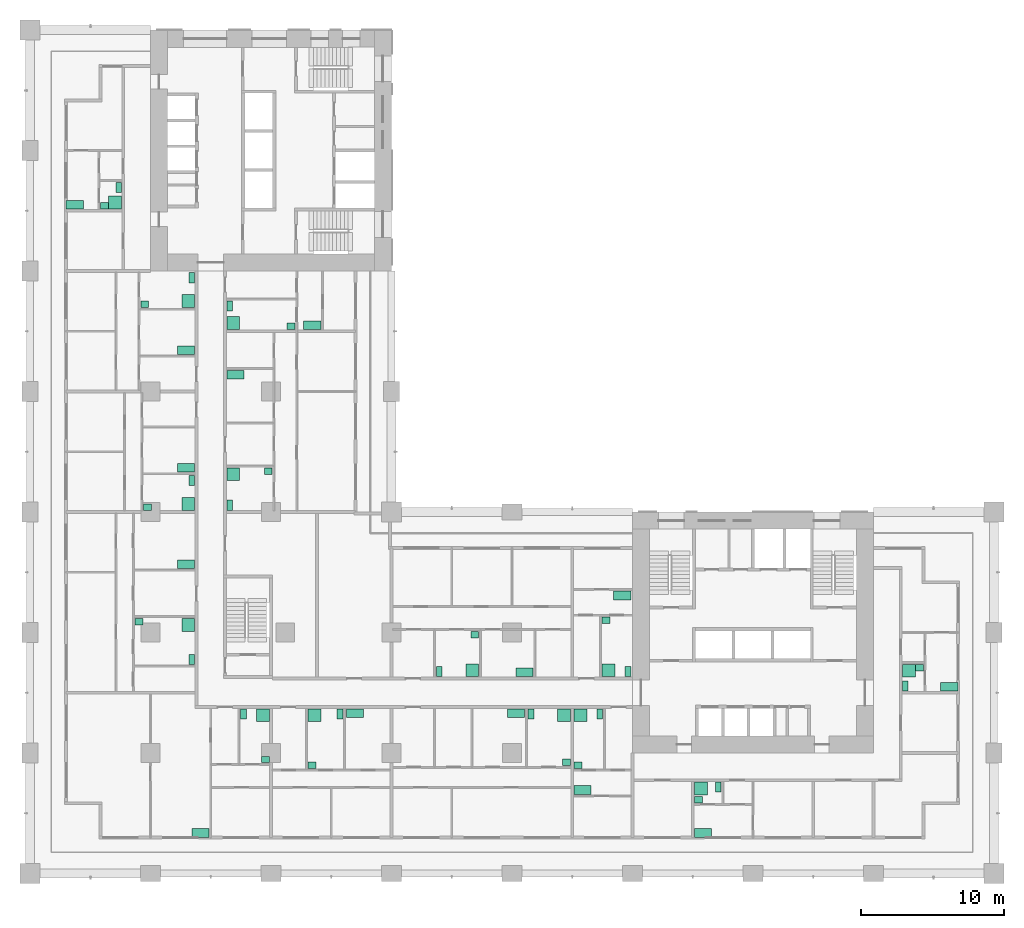
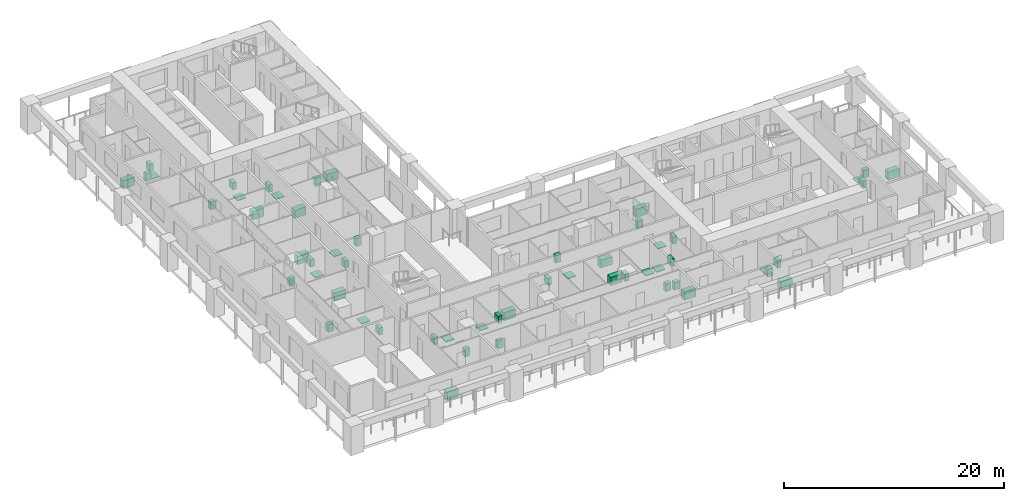
# One storey, part 19 of 19: 56 sanitary terminals.
"""IFC4 building model written with IfcOpenShell, lengths in metres."""

from ifc_helpers import new_model, si_unit, direction, frame, origin, origin_2d, place, context, subcontext, project, spatial, rectangle, extrude, material, element, save


model = new_model("IFC4")

# Units and contexts
model_context = context("Model", 3, precision=1e-05, world=origin(), true_north=direction((0.0, 1.0)))
body_context = subcontext(model_context, "Body", "Model", "MODEL_VIEW")
ifc_project = project(units=[si_unit("LENGTHUNIT", "METRE"), si_unit("AREAUNIT", "SQUARE_METRE"), si_unit("VOLUMEUNIT", "CUBIC_METRE"), si_unit("PLANEANGLEUNIT", "RADIAN"), si_unit("MASSUNIT", "GRAM", prefix="KILO")], contexts=[model_context])

# Site, building, storey
site_placement = place(None, origin())
site = spatial("IfcSite", under=ifc_project, at=site_placement, CompositionType="ELEMENT")
building_placement = place(site_placement, origin())
building = spatial("IfcBuilding", under=site, at=building_placement, Name="Vermilion Gate Residences", CompositionType="ELEMENT")
storey_placement = place(building_placement, frame((0.0, 0.0, 49.699951171875)))
storey = spatial("IfcBuildingStorey", under=building, at=storey_placement, Name="L11", CompositionType="ELEMENT", Elevation=49.699951171875)

# Sanitary terminals
ifc_material_1 = material(Name="Stainless steel", Category="steel")
sanitary_terminal_1_placement = place(storey_placement, frame((11.8798828125, 2.820068359375, 0.0), z_axis=(0.0, 0.0, 1.0), x_axis=(1.0, 0.0, 0.0)))
element("IfcSanitaryTerminal", 1, at=sanitary_terminal_1_placement, inside=storey, material=ifc_material_1, Name="Kitchen sink", PredefinedType="SINK", context=body_context, shape_type="SweptSolid", body=[
    extrude(rectangle(XDim=1.199951171875, YDim=0.60009765625, at=origin_2d()), origin(), (0.0, 0.0, 1.0), 0.89990234375),
])
ifc_material_2 = material(Name="Vitreous china")
sanitary_terminal_2_placement = place(storey_placement, frame((16.22998046875, 11.030029296875, 0.0), z_axis=(0.0, 0.0, 1.0), x_axis=(1.0, 0.0, 0.0)))
element("IfcSanitaryTerminal", 2, at=sanitary_terminal_2_placement, inside=storey, material=ifc_material_2, Name="Shower tray", PredefinedType="SHOWER", context=body_context, shape_type="SweptSolid", body=[
    extrude(rectangle(XDim=0.89990234375, YDim=0.89990234375, at=origin_2d()), origin(), (0.0, 0.0, 1.0), 0.10009765625),
])
sanitary_terminal_3_placement = place(storey_placement, frame((14.8798828125, 11.1298828125, 0.0), z_axis=(0.0, 0.0, 1.0), x_axis=(1.0, 0.0, 0.0)))
element("IfcSanitaryTerminal", 3, at=sanitary_terminal_3_placement, inside=storey, material=ifc_material_2, Name="Toilet", PredefinedType="TOILETPAN", context=body_context, shape_type="SweptSolid", body=[
    extrude(rectangle(XDim=0.39990234375, YDim=0.699951171875, at=origin_2d()), origin(), (0.0, 0.0, 1.0), 0.800048828125),
])
sanitary_terminal_4_placement = place(storey_placement, frame((16.405029296875, 7.945068359375, 0.0), z_axis=(0.0, 0.0, 1.0), x_axis=(1.0, 0.0, 0.0)))
element("IfcSanitaryTerminal", 4, at=sanitary_terminal_4_placement, inside=storey, material=ifc_material_2, Name="Wash basin", PredefinedType="WASHHANDBASIN", context=body_context, shape_type="SweptSolid", body=[
    extrude(rectangle(XDim=0.550048828125, YDim=0.449951171875, at=origin_2d()), origin(), (0.0, 0.0, 1.0), 0.85009765625),
])
sanitary_terminal_5_placement = place(storey_placement, frame((19.8369140625, 11.030029296875, 0.0), z_axis=(0.0, 0.0, 1.0), x_axis=(1.0, 0.0, 0.0)))
element("IfcSanitaryTerminal", 5, at=sanitary_terminal_5_placement, inside=storey, material=ifc_material_2, Name="Shower tray", PredefinedType="SHOWER", context=body_context, shape_type="SweptSolid", body=[
    extrude(rectangle(XDim=0.89990234375, YDim=0.89990234375, at=origin_2d()), origin(), (0.0, 0.0, 1.0), 0.10009765625),
])
sanitary_terminal_6_placement = place(storey_placement, frame((21.613037109375, 11.1298828125, 0.0), z_axis=(0.0, 0.0, 1.0), x_axis=(1.0, 0.0, 0.0)))
element("IfcSanitaryTerminal", 6, at=sanitary_terminal_6_placement, inside=storey, material=ifc_material_2, Name="Toilet", PredefinedType="TOILETPAN", context=body_context, shape_type="SweptSolid", body=[
    extrude(rectangle(XDim=0.39990234375, YDim=0.699951171875, at=origin_2d()), origin(), (0.0, 0.0, 1.0), 0.800048828125),
])
sanitary_terminal_7_placement = place(storey_placement, frame((19.662109375, 7.544921875, 0.0), z_axis=(0.0, 0.0, 1.0), x_axis=(1.0, 0.0, 0.0)))
element("IfcSanitaryTerminal", 7, at=sanitary_terminal_7_placement, inside=storey, material=ifc_material_2, Name="Wash basin", PredefinedType="WASHHANDBASIN", context=body_context, shape_type="SweptSolid", body=[
    extrude(rectangle(XDim=0.550048828125, YDim=0.449951171875, at=origin_2d()), origin(), (0.0, 0.0, 1.0), 0.85009765625),
])
for number, where, z_axis, x_axis, name in (
    (8, (22.653076171875, 11.179931640625, 0.0), (0.0, 0.0, 1.0), (1.0, 0.0, 0.0), "Kitchen sink"),
    (9, (33.8798828125, 11.179931640625, 0.0), (0.0, 0.0, 1.0), (1.0, 0.0, 0.0), "Kitchen sink"),
):
    element("IfcSanitaryTerminal", number, at=place(storey_placement, frame(where, z_axis=z_axis, x_axis=x_axis)), inside=storey, material=ifc_material_1, Name=name, PredefinedType="SINK", context=body_context, shape_type="SweptSolid", body=[
        extrude(rectangle(XDim=1.199951171875, YDim=0.60009765625, at=origin_2d()), origin(), (0.0, 0.0, 1.0), 0.89990234375),
    ])
sanitary_terminal_8_placement = place(storey_placement, frame((37.22998046875, 11.030029296875, 0.0), z_axis=(0.0, 0.0, 1.0), x_axis=(1.0, 0.0, 0.0)))
element("IfcSanitaryTerminal", 10, at=sanitary_terminal_8_placement, inside=storey, material=ifc_material_2, Name="Shower tray", PredefinedType="SHOWER", context=body_context, shape_type="SweptSolid", body=[
    extrude(rectangle(XDim=0.89990234375, YDim=0.89990234375, at=origin_2d()), origin(), (0.0, 0.0, 1.0), 0.10009765625),
])
sanitary_terminal_9_placement = place(storey_placement, frame((34.919921875, 11.1298828125, 0.0), z_axis=(0.0, 0.0, 1.0), x_axis=(1.0, 0.0, 0.0)))
element("IfcSanitaryTerminal", 11, at=sanitary_terminal_9_placement, inside=storey, material=ifc_material_2, Name="Toilet", PredefinedType="TOILETPAN", context=body_context, shape_type="SweptSolid", body=[
    extrude(rectangle(XDim=0.39990234375, YDim=0.699951171875, at=origin_2d()), origin(), (0.0, 0.0, 1.0), 0.800048828125),
])
sanitary_terminal_10_placement = place(storey_placement, frame((37.405029296875, 7.7451171875, 0.0), z_axis=(0.0, 0.0, 1.0), x_axis=(1.0, 0.0, 0.0)))
element("IfcSanitaryTerminal", 12, at=sanitary_terminal_10_placement, inside=storey, material=ifc_material_2, Name="Wash basin", PredefinedType="WASHHANDBASIN", context=body_context, shape_type="SweptSolid", body=[
    extrude(rectangle(XDim=0.550048828125, YDim=0.449951171875, at=origin_2d()), origin(), (0.0, 0.0, 1.0), 0.85009765625),
])
sanitary_terminal_11_placement = place(storey_placement, frame((38.52001953125, 5.820068359375, 0.0), z_axis=(0.0, 0.0, 1.0), x_axis=(1.0, 0.0, 0.0)))
element("IfcSanitaryTerminal", 13, at=sanitary_terminal_11_placement, inside=storey, material=ifc_material_1, Name="Kitchen sink", PredefinedType="SINK", context=body_context, shape_type="SweptSolid", body=[
    extrude(rectangle(XDim=1.199951171875, YDim=0.60009765625, at=origin_2d()), origin(), (0.0, 0.0, 1.0), 0.89990234375),
])
sanitary_terminal_12_placement = place(storey_placement, frame((38.3701171875, 11.030029296875, 0.0), z_axis=(0.0, 0.0, 1.0), x_axis=(1.0, 0.0, 0.0)))
element("IfcSanitaryTerminal", 14, at=sanitary_terminal_12_placement, inside=storey, material=ifc_material_2, Name="Shower tray", PredefinedType="SHOWER", context=body_context, shape_type="SweptSolid", body=[
    extrude(rectangle(XDim=0.89990234375, YDim=0.89990234375, at=origin_2d()), origin(), (0.0, 0.0, 1.0), 0.10009765625),
])
sanitary_terminal_13_placement = place(storey_placement, frame((39.719970703125, 11.1298828125, 0.0), z_axis=(0.0, 0.0, 1.0), x_axis=(1.0, 0.0, 0.0)))
element("IfcSanitaryTerminal", 15, at=sanitary_terminal_13_placement, inside=storey, material=ifc_material_2, Name="Toilet", PredefinedType="TOILETPAN", context=body_context, shape_type="SweptSolid", body=[
    extrude(rectangle(XDim=0.39990234375, YDim=0.699951171875, at=origin_2d()), origin(), (0.0, 0.0, 1.0), 0.800048828125),
])
sanitary_terminal_14_placement = place(storey_placement, frame((38.195068359375, 7.544921875, 0.0), z_axis=(0.0, 0.0, 1.0), x_axis=(1.0, 0.0, 0.0)))
element("IfcSanitaryTerminal", 16, at=sanitary_terminal_14_placement, inside=storey, material=ifc_material_2, Name="Wash basin", PredefinedType="WASHHANDBASIN", context=body_context, shape_type="SweptSolid", body=[
    extrude(rectangle(XDim=0.550048828125, YDim=0.449951171875, at=origin_2d()), origin(), (0.0, 0.0, 1.0), 0.85009765625),
])
sanitary_terminal_15_placement = place(storey_placement, frame((30.830078125, 14.169921875, 0.0), z_axis=(0.0, 0.0, 1.0), x_axis=(1.0, 0.0, 0.0)))
element("IfcSanitaryTerminal", 17, at=sanitary_terminal_15_placement, inside=storey, material=ifc_material_2, Name="Shower tray", PredefinedType="SHOWER", context=body_context, shape_type="SweptSolid", body=[
    extrude(rectangle(XDim=0.89990234375, YDim=0.89990234375, at=origin_2d()), origin(), (0.0, 0.0, 1.0), 0.10009765625),
])
sanitary_terminal_16_placement = place(storey_placement, frame((28.52001953125, 14.070068359375, 0.0), z_axis=(0.0, 0.0, 1.0), x_axis=(1.0, 0.0, 0.0)))
element("IfcSanitaryTerminal", 18, at=sanitary_terminal_16_placement, inside=storey, material=ifc_material_2, Name="Toilet", PredefinedType="TOILETPAN", context=body_context, shape_type="SweptSolid", body=[
    extrude(rectangle(XDim=0.39990234375, YDim=0.699951171875, at=origin_2d()), origin(), (0.0, 0.0, 1.0), 0.800048828125),
])
sanitary_terminal_17_placement = place(storey_placement, frame((31.0048828125, 16.655029296875, 0.0), z_axis=(0.0, 0.0, 1.0), x_axis=(1.0, 0.0, 0.0)))
element("IfcSanitaryTerminal", 19, at=sanitary_terminal_17_placement, inside=storey, material=ifc_material_2, Name="Wash basin", PredefinedType="WASHHANDBASIN", context=body_context, shape_type="SweptSolid", body=[
    extrude(rectangle(XDim=0.550048828125, YDim=0.449951171875, at=origin_2d()), origin(), (0.0, 0.0, 1.0), 0.85009765625),
])
for number, where, z_axis, x_axis, name in (
    (20, (34.47998046875, 14.02001953125, 0.0), (0.0, 0.0, 1.0), (1.0, 0.0, 0.0), "Kitchen sink"),
    (21, (41.280029296875, 19.3798828125, 0.0), (0.0, 0.0, 1.0), (1.0, 0.0, 0.0), "Kitchen sink"),
):
    element("IfcSanitaryTerminal", number, at=place(storey_placement, frame(where, z_axis=z_axis, x_axis=x_axis)), inside=storey, material=ifc_material_1, Name=name, PredefinedType="SINK", context=body_context, shape_type="SweptSolid", body=[
        extrude(rectangle(XDim=1.199951171875, YDim=0.60009765625, at=origin_2d()), origin(), (0.0, 0.0, 1.0), 0.89990234375),
    ])
sanitary_terminal_18_placement = place(storey_placement, frame((40.330078125, 14.169921875, 0.0), z_axis=(0.0, 0.0, 1.0), x_axis=(1.0, 0.0, 0.0)))
element("IfcSanitaryTerminal", 22, at=sanitary_terminal_18_placement, inside=storey, material=ifc_material_2, Name="Shower tray", PredefinedType="SHOWER", context=body_context, shape_type="SweptSolid", body=[
    extrude(rectangle(XDim=0.89990234375, YDim=0.89990234375, at=origin_2d()), origin(), (0.0, 0.0, 1.0), 0.10009765625),
])
sanitary_terminal_19_placement = place(storey_placement, frame((41.679931640625, 14.070068359375, 0.0), z_axis=(0.0, 0.0, 1.0), x_axis=(1.0, 0.0, 0.0)))
element("IfcSanitaryTerminal", 23, at=sanitary_terminal_19_placement, inside=storey, material=ifc_material_2, Name="Toilet", PredefinedType="TOILETPAN", context=body_context, shape_type="SweptSolid", body=[
    extrude(rectangle(XDim=0.39990234375, YDim=0.699951171875, at=origin_2d()), origin(), (0.0, 0.0, 1.0), 0.800048828125),
])
sanitary_terminal_20_placement = place(storey_placement, frame((40.155029296875, 17.655029296875, 0.0), z_axis=(0.0, 0.0, 1.0), x_axis=(1.0, 0.0, 0.0)))
element("IfcSanitaryTerminal", 24, at=sanitary_terminal_20_placement, inside=storey, material=ifc_material_2, Name="Wash basin", PredefinedType="WASHHANDBASIN", context=body_context, shape_type="SweptSolid", body=[
    extrude(rectangle(XDim=0.550048828125, YDim=0.449951171875, at=origin_2d()), origin(), (0.0, 0.0, 1.0), 0.85009765625),
])
sanitary_terminal_21_placement = place(storey_placement, frame((11.030029296875, 17.330078125, 0.0), z_axis=(0.0, 0.0, 1.0), x_axis=(1.0, 0.0, 0.0)))
element("IfcSanitaryTerminal", 25, at=sanitary_terminal_21_placement, inside=storey, material=ifc_material_2, Name="Shower tray", PredefinedType="SHOWER", context=body_context, shape_type="SweptSolid", body=[
    extrude(rectangle(XDim=0.89990234375, YDim=0.89990234375, at=origin_2d()), origin(), (0.0, 0.0, 1.0), 0.10009765625),
])
sanitary_terminal_22_placement = place(storey_placement, frame((11.280029296875, 14.919921875, 0.0), z_axis=(0.0, 0.0, 1.0), x_axis=(1.0, 0.0, 0.0)))
element("IfcSanitaryTerminal", 26, at=sanitary_terminal_22_placement, inside=storey, material=ifc_material_2, Name="Toilet", PredefinedType="TOILETPAN", context=body_context, shape_type="SweptSolid", body=[
    extrude(rectangle(XDim=0.39990234375, YDim=0.699951171875, at=origin_2d()), origin(), (0.0, 0.0, 1.0), 0.800048828125),
])
sanitary_terminal_23_placement = place(storey_placement, frame((7.594970703125, 17.554931640625, 0.0), z_axis=(0.0, 0.0, 1.0), x_axis=(1.0, 0.0, 0.0)))
element("IfcSanitaryTerminal", 27, at=sanitary_terminal_23_placement, inside=storey, material=ifc_material_2, Name="Wash basin", PredefinedType="WASHHANDBASIN", context=body_context, shape_type="SweptSolid", body=[
    extrude(rectangle(XDim=0.550048828125, YDim=0.449951171875, at=origin_2d()), origin(), (0.0, 0.0, 1.0), 0.85009765625),
])
sanitary_terminal_24_placement = place(storey_placement, frame((10.8798828125, 21.570068359375, 0.0), z_axis=(0.0, 0.0, 1.0), x_axis=(1.0, 0.0, 0.0)))
element("IfcSanitaryTerminal", 28, at=sanitary_terminal_24_placement, inside=storey, material=ifc_material_1, Name="Kitchen sink", PredefinedType="SINK", context=body_context, shape_type="SweptSolid", body=[
    extrude(rectangle(XDim=1.199951171875, YDim=0.60009765625, at=origin_2d()), origin(), (0.0, 0.0, 1.0), 0.89990234375),
])
sanitary_terminal_25_placement = place(storey_placement, frame((11.030029296875, 25.77001953125, 0.0), z_axis=(0.0, 0.0, 1.0), x_axis=(1.0, 0.0, 0.0)))
element("IfcSanitaryTerminal", 29, at=sanitary_terminal_25_placement, inside=storey, material=ifc_material_2, Name="Shower tray", PredefinedType="SHOWER", context=body_context, shape_type="SweptSolid", body=[
    extrude(rectangle(XDim=0.89990234375, YDim=0.89990234375, at=origin_2d()), origin(), (0.0, 0.0, 1.0), 0.10009765625),
])
sanitary_terminal_26_placement = place(storey_placement, frame((11.280029296875, 27.39697265625, 0.0), z_axis=(0.0, 0.0, 1.0), x_axis=(1.0, 0.0, 0.0)))
element("IfcSanitaryTerminal", 30, at=sanitary_terminal_26_placement, inside=storey, material=ifc_material_2, Name="Toilet", PredefinedType="TOILETPAN", context=body_context, shape_type="SweptSolid", body=[
    extrude(rectangle(XDim=0.39990234375, YDim=0.699951171875, at=origin_2d()), origin(), (0.0, 0.0, 1.0), 0.800048828125),
])
sanitary_terminal_27_placement = place(storey_placement, frame((8.195068359375, 25.544921875, 0.0), z_axis=(0.0, 0.0, 1.0), x_axis=(1.0, 0.0, 0.0)))
element("IfcSanitaryTerminal", 31, at=sanitary_terminal_27_placement, inside=storey, material=ifc_material_2, Name="Wash basin", PredefinedType="WASHHANDBASIN", context=body_context, shape_type="SweptSolid", body=[
    extrude(rectangle(XDim=0.550048828125, YDim=0.449951171875, at=origin_2d()), origin(), (0.0, 0.0, 1.0), 0.85009765625),
])
for number, where, z_axis, x_axis, name in (
    (32, (10.8798828125, 28.287109375, 0.0), (0.0, 0.0, 1.0), (1.0, 0.0, 0.0), "Kitchen sink"),
    (33, (10.8798828125, 36.487060546875, 0.0), (0.0, 0.0, 1.0), (1.0, 0.0, 0.0), "Kitchen sink"),
):
    element("IfcSanitaryTerminal", number, at=place(storey_placement, frame(where, z_axis=z_axis, x_axis=x_axis)), inside=storey, material=ifc_material_1, Name=name, PredefinedType="SINK", context=body_context, shape_type="SweptSolid", body=[
        extrude(rectangle(XDim=1.199951171875, YDim=0.60009765625, at=origin_2d()), origin(), (0.0, 0.0, 1.0), 0.89990234375),
    ])
sanitary_terminal_28_placement = place(storey_placement, frame((11.030029296875, 39.903076171875, 0.0), z_axis=(0.0, 0.0, 1.0), x_axis=(1.0, 0.0, 0.0)))
element("IfcSanitaryTerminal", 34, at=sanitary_terminal_28_placement, inside=storey, material=ifc_material_2, Name="Shower tray", PredefinedType="SHOWER", context=body_context, shape_type="SweptSolid", body=[
    extrude(rectangle(XDim=0.89990234375, YDim=0.89990234375, at=origin_2d()), origin(), (0.0, 0.0, 1.0), 0.10009765625),
])
sanitary_terminal_29_placement = place(storey_placement, frame((11.280029296875, 41.530029296875, 0.0), z_axis=(0.0, 0.0, 1.0), x_axis=(1.0, 0.0, 0.0)))
element("IfcSanitaryTerminal", 35, at=sanitary_terminal_29_placement, inside=storey, material=ifc_material_2, Name="Toilet", PredefinedType="TOILETPAN", context=body_context, shape_type="SweptSolid", body=[
    extrude(rectangle(XDim=0.39990234375, YDim=0.699951171875, at=origin_2d()), origin(), (0.0, 0.0, 1.0), 0.800048828125),
])
sanitary_terminal_30_placement = place(storey_placement, frame((7.9951171875, 39.677978515625, 0.0), z_axis=(0.0, 0.0, 1.0), x_axis=(1.0, 0.0, 0.0)))
element("IfcSanitaryTerminal", 36, at=sanitary_terminal_30_placement, inside=storey, material=ifc_material_2, Name="Wash basin", PredefinedType="WASHHANDBASIN", context=body_context, shape_type="SweptSolid", body=[
    extrude(rectangle(XDim=0.550048828125, YDim=0.449951171875, at=origin_2d()), origin(), (0.0, 0.0, 1.0), 0.85009765625),
])
sanitary_terminal_31_placement = place(storey_placement, frame((14.169921875, 27.830078125, 0.0), z_axis=(0.0, 0.0, 1.0), x_axis=(1.0, 0.0, 0.0)))
element("IfcSanitaryTerminal", 37, at=sanitary_terminal_31_placement, inside=storey, material=ifc_material_2, Name="Shower tray", PredefinedType="SHOWER", context=body_context, shape_type="SweptSolid", body=[
    extrude(rectangle(XDim=0.89990234375, YDim=0.89990234375, at=origin_2d()), origin(), (0.0, 0.0, 1.0), 0.10009765625),
])
sanitary_terminal_32_placement = place(storey_placement, frame((13.919921875, 25.669921875, 0.0), z_axis=(0.0, 0.0, 1.0), x_axis=(1.0, 0.0, 0.0)))
element("IfcSanitaryTerminal", 38, at=sanitary_terminal_32_placement, inside=storey, material=ifc_material_2, Name="Toilet", PredefinedType="TOILETPAN", context=body_context, shape_type="SweptSolid", body=[
    extrude(rectangle(XDim=0.39990234375, YDim=0.699951171875, at=origin_2d()), origin(), (0.0, 0.0, 1.0), 0.800048828125),
])
sanitary_terminal_33_placement = place(storey_placement, frame((16.60498046875, 28.054931640625, 0.0), z_axis=(0.0, 0.0, 1.0), x_axis=(1.0, 0.0, 0.0)))
element("IfcSanitaryTerminal", 39, at=sanitary_terminal_33_placement, inside=storey, material=ifc_material_2, Name="Wash basin", PredefinedType="WASHHANDBASIN", context=body_context, shape_type="SweptSolid", body=[
    extrude(rectangle(XDim=0.550048828125, YDim=0.449951171875, at=origin_2d()), origin(), (0.0, 0.0, 1.0), 0.85009765625),
])
for number, where, z_axis, x_axis, name in (
    (40, (14.320068359375, 34.780029296875, 0.0), (0.0, 0.0, 1.0), (1.0, 0.0, 0.0), "Kitchen sink"),
    (41, (19.679931640625, 38.219970703125, 0.0), (0.0, 0.0, 1.0), (1.0, 0.0, 0.0), "Kitchen sink"),
):
    element("IfcSanitaryTerminal", number, at=place(storey_placement, frame(where, z_axis=z_axis, x_axis=x_axis)), inside=storey, material=ifc_material_1, Name=name, PredefinedType="SINK", context=body_context, shape_type="SweptSolid", body=[
        extrude(rectangle(XDim=1.199951171875, YDim=0.60009765625, at=origin_2d()), origin(), (0.0, 0.0, 1.0), 0.89990234375),
    ])
sanitary_terminal_34_placement = place(storey_placement, frame((14.169921875, 38.3701171875, 0.0), z_axis=(0.0, 0.0, 1.0), x_axis=(1.0, 0.0, 0.0)))
element("IfcSanitaryTerminal", 42, at=sanitary_terminal_34_placement, inside=storey, material=ifc_material_2, Name="Shower tray", PredefinedType="SHOWER", context=body_context, shape_type="SweptSolid", body=[
    extrude(rectangle(XDim=0.89990234375, YDim=0.89990234375, at=origin_2d()), origin(), (0.0, 0.0, 1.0), 0.10009765625),
])
sanitary_terminal_35_placement = place(storey_placement, frame((13.919921875, 39.570068359375, 0.0), z_axis=(0.0, 0.0, 1.0), x_axis=(1.0, 0.0, 0.0)))
element("IfcSanitaryTerminal", 43, at=sanitary_terminal_35_placement, inside=storey, material=ifc_material_2, Name="Toilet", PredefinedType="TOILETPAN", context=body_context, shape_type="SweptSolid", body=[
    extrude(rectangle(XDim=0.39990234375, YDim=0.699951171875, at=origin_2d()), origin(), (0.0, 0.0, 1.0), 0.800048828125),
])
sanitary_terminal_36_placement = place(storey_placement, frame((18.205078125, 38.14501953125, 0.0), z_axis=(0.0, 0.0, 1.0), x_axis=(1.0, 0.0, 0.0)))
element("IfcSanitaryTerminal", 44, at=sanitary_terminal_36_placement, inside=storey, material=ifc_material_2, Name="Wash basin", PredefinedType="WASHHANDBASIN", context=body_context, shape_type="SweptSolid", body=[
    extrude(rectangle(XDim=0.550048828125, YDim=0.449951171875, at=origin_2d()), origin(), (0.0, 0.0, 1.0), 0.85009765625),
])
sanitary_terminal_37_placement = place(storey_placement, frame((46.919921875, 2.820068359375, 0.0), z_axis=(0.0, 0.0, 1.0), x_axis=(1.0, 0.0, 0.0)))
element("IfcSanitaryTerminal", 45, at=sanitary_terminal_37_placement, inside=storey, material=ifc_material_1, Name="Kitchen sink", PredefinedType="SINK", context=body_context, shape_type="SweptSolid", body=[
    extrude(rectangle(XDim=1.199951171875, YDim=0.60009765625, at=origin_2d()), origin(), (0.0, 0.0, 1.0), 0.89990234375),
])
sanitary_terminal_38_placement = place(storey_placement, frame((46.77001953125, 5.929931640625, 0.0), z_axis=(0.0, 0.0, 1.0), x_axis=(1.0, 0.0, 0.0)))
element("IfcSanitaryTerminal", 46, at=sanitary_terminal_38_placement, inside=storey, material=ifc_material_2, Name="Shower tray", PredefinedType="SHOWER", context=body_context, shape_type="SweptSolid", body=[
    extrude(rectangle(XDim=0.89990234375, YDim=0.89990234375, at=origin_2d()), origin(), (0.0, 0.0, 1.0), 0.10009765625),
])
sanitary_terminal_39_placement = place(storey_placement, frame((47.97998046875, 6.030029296875, 0.0), z_axis=(0.0, 0.0, 1.0), x_axis=(1.0, 0.0, 0.0)))
element("IfcSanitaryTerminal", 47, at=sanitary_terminal_39_placement, inside=storey, material=ifc_material_2, Name="Toilet", PredefinedType="TOILETPAN", context=body_context, shape_type="SweptSolid", body=[
    extrude(rectangle(XDim=0.39990234375, YDim=0.699951171875, at=origin_2d()), origin(), (0.0, 0.0, 1.0), 0.800048828125),
])
sanitary_terminal_40_placement = place(storey_placement, frame((46.594970703125, 5.14501953125, 0.0), z_axis=(0.0, 0.0, 1.0), x_axis=(1.0, 0.0, 0.0)))
element("IfcSanitaryTerminal", 48, at=sanitary_terminal_40_placement, inside=storey, material=ifc_material_2, Name="Wash basin", PredefinedType="WASHHANDBASIN", context=body_context, shape_type="SweptSolid", body=[
    extrude(rectangle(XDim=0.550048828125, YDim=0.449951171875, at=origin_2d()), origin(), (0.0, 0.0, 1.0), 0.85009765625),
])
sanitary_terminal_41_placement = place(storey_placement, frame((64.080078125, 13.02001953125, 0.0), z_axis=(0.0, 0.0, 1.0), x_axis=(1.0, 0.0, 0.0)))
element("IfcSanitaryTerminal", 49, at=sanitary_terminal_41_placement, inside=storey, material=ifc_material_1, Name="Kitchen sink", PredefinedType="SINK", context=body_context, shape_type="SweptSolid", body=[
    extrude(rectangle(XDim=1.199951171875, YDim=0.60009765625, at=origin_2d()), origin(), (0.0, 0.0, 1.0), 0.89990234375),
])
sanitary_terminal_42_placement = place(storey_placement, frame((61.27001953125, 14.1298828125, 0.0), z_axis=(0.0, 0.0, 1.0), x_axis=(1.0, 0.0, 0.0)))
element("IfcSanitaryTerminal", 50, at=sanitary_terminal_42_placement, inside=storey, material=ifc_material_2, Name="Shower tray", PredefinedType="SHOWER", context=body_context, shape_type="SweptSolid", body=[
    extrude(rectangle(XDim=0.89990234375, YDim=0.89990234375, at=origin_2d()), origin(), (0.0, 0.0, 1.0), 0.10009765625),
])
sanitary_terminal_43_placement = place(storey_placement, frame((61.02001953125, 13.070068359375, 0.0), z_axis=(0.0, 0.0, 1.0), x_axis=(1.0, 0.0, 0.0)))
element("IfcSanitaryTerminal", 51, at=sanitary_terminal_43_placement, inside=storey, material=ifc_material_2, Name="Toilet", PredefinedType="TOILETPAN", context=body_context, shape_type="SweptSolid", body=[
    extrude(rectangle(XDim=0.39990234375, YDim=0.699951171875, at=origin_2d()), origin(), (0.0, 0.0, 1.0), 0.800048828125),
])
sanitary_terminal_44_placement = place(storey_placement, frame((62.0048828125, 14.35498046875, 0.0), z_axis=(0.0, 0.0, 1.0), x_axis=(1.0, 0.0, 0.0)))
element("IfcSanitaryTerminal", 52, at=sanitary_terminal_44_placement, inside=storey, material=ifc_material_2, Name="Wash basin", PredefinedType="WASHHANDBASIN", context=body_context, shape_type="SweptSolid", body=[
    extrude(rectangle(XDim=0.550048828125, YDim=0.449951171875, at=origin_2d()), origin(), (0.0, 0.0, 1.0), 0.85009765625),
])
sanitary_terminal_45_placement = place(storey_placement, frame((3.1201171875, 46.6201171875, 0.0), z_axis=(0.0, 0.0, 1.0), x_axis=(1.0, 0.0, 0.0)))
element("IfcSanitaryTerminal", 53, at=sanitary_terminal_45_placement, inside=storey, material=ifc_material_1, Name="Kitchen sink", PredefinedType="SINK", context=body_context, shape_type="SweptSolid", body=[
    extrude(rectangle(XDim=1.199951171875, YDim=0.60009765625, at=origin_2d()), origin(), (0.0, 0.0, 1.0), 0.89990234375),
])
sanitary_terminal_46_placement = place(storey_placement, frame((5.929931640625, 46.77001953125, 0.0), z_axis=(0.0, 0.0, 1.0), x_axis=(1.0, 0.0, 0.0)))
element("IfcSanitaryTerminal", 54, at=sanitary_terminal_46_placement, inside=storey, material=ifc_material_2, Name="Shower tray", PredefinedType="SHOWER", context=body_context, shape_type="SweptSolid", body=[
    extrude(rectangle(XDim=0.89990234375, YDim=0.89990234375, at=origin_2d()), origin(), (0.0, 0.0, 1.0), 0.10009765625),
])
sanitary_terminal_47_placement = place(storey_placement, frame((6.179931640625, 47.830078125, 0.0), z_axis=(0.0, 0.0, 1.0), x_axis=(1.0, 0.0, 0.0)))
element("IfcSanitaryTerminal", 55, at=sanitary_terminal_47_placement, inside=storey, material=ifc_material_2, Name="Toilet", PredefinedType="TOILETPAN", context=body_context, shape_type="SweptSolid", body=[
    extrude(rectangle(XDim=0.39990234375, YDim=0.699951171875, at=origin_2d()), origin(), (0.0, 0.0, 1.0), 0.800048828125),
])
sanitary_terminal_48_placement = place(storey_placement, frame((5.195068359375, 46.544921875, 0.0), z_axis=(0.0, 0.0, 1.0), x_axis=(1.0, 0.0, 0.0)))
element("IfcSanitaryTerminal", 56, at=sanitary_terminal_48_placement, inside=storey, material=ifc_material_2, Name="Wash basin", PredefinedType="WASHHANDBASIN", context=body_context, shape_type="SweptSolid", body=[
    extrude(rectangle(XDim=0.550048828125, YDim=0.449951171875, at=origin_2d()), origin(), (0.0, 0.0, 1.0), 0.85009765625),
])

save(model, "model.ifc")
